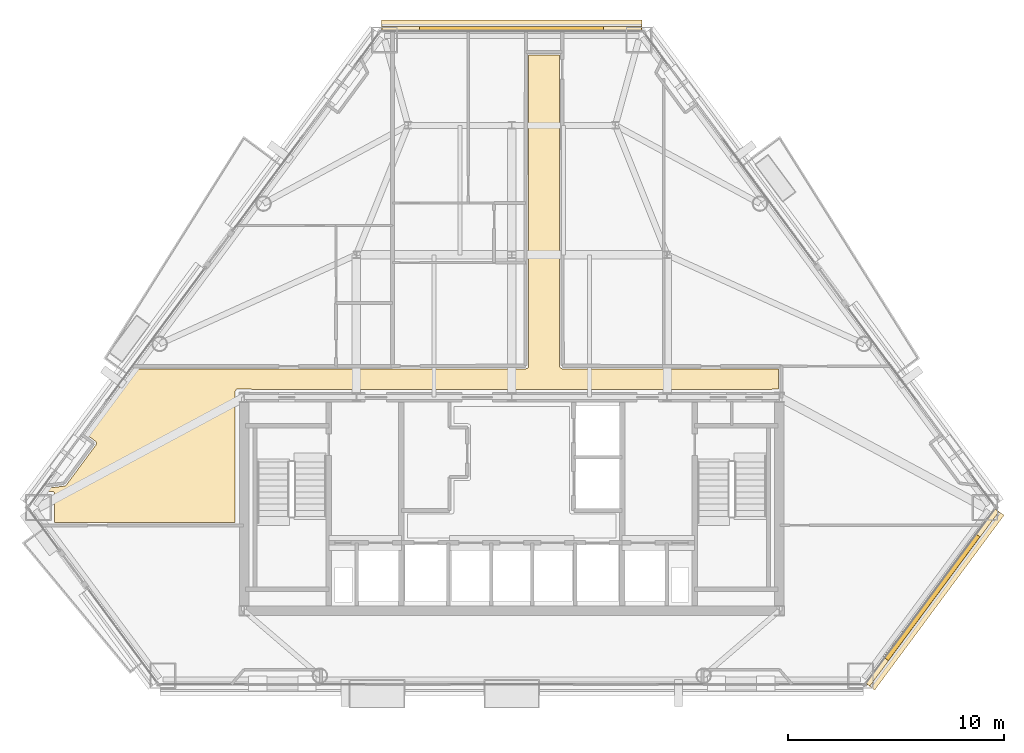
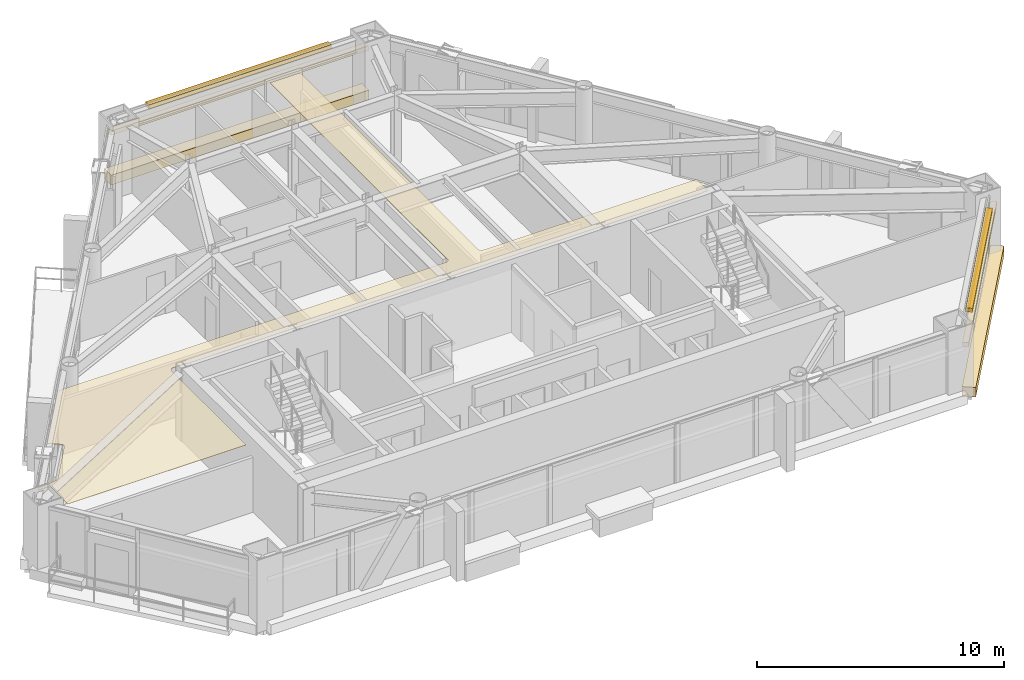
# One storey, part 12 of 13: 5 coverings, 2 shading devices.
"""IFC4 building model written with IfcOpenShell, lengths in metres."""

from ifc_helpers import new_model, si_unit, direction, frame, origin, origin_2d, place, context, subcontext, project, spatial, polyline, rectangle, outline, extrude, source, transform, mapped, material, layer, layer_set, type_object, type_shapes, element, save


model = new_model("IFC4")

# Units and contexts
model_context = context("Model", 3, precision=1e-05, world=origin(), true_north=direction((0.0, 1.0)))
body_context = subcontext(model_context, "Body", "Model", "MODEL_VIEW")
ifc_project = project(units=[si_unit("LENGTHUNIT", "METRE"), si_unit("AREAUNIT", "SQUARE_METRE"), si_unit("VOLUMEUNIT", "CUBIC_METRE"), si_unit("PLANEANGLEUNIT", "RADIAN"), si_unit("MASSUNIT", "GRAM", prefix="KILO")], contexts=[model_context])

# Site, building, storey
site_placement = place(None, origin())
site = spatial("IfcSite", under=ifc_project, at=site_placement, CompositionType="ELEMENT")
building_placement = place(site_placement, origin())
building = spatial("IfcBuilding", under=site, at=building_placement, Name="Talgorran Terracotta Tower", CompositionType="ELEMENT")
storey_placement = place(building_placement, frame((0.0, 0.0, 99.60009765625)))
storey = spatial("IfcBuildingStorey", under=building, at=storey_placement, Name="L25", CompositionType="ELEMENT", Elevation=99.60009765625)

# Coverings
ifc_material_1 = material(Name="Kiln-Fired Terracotta Ochre Ceramic", Category="masonry")
ifc_layer_1 = layer(ifc_material_1, 0.179931640625, Name="COV_BAGUETTE_TERRACOTTA_SCREEN")
ifc_layer_set_1 = layer_set([ifc_layer_1], Name="Kiln-Fired Terracotta Ochre Ceramic")
covering_type_1 = type_object("IfcCoveringType", Name="COV_BAGUETTE_TERRACOTTA_SCREEN", PredefinedType="CLADDING", material=ifc_layer_set_1)
covering_1_placement = place(storey_placement, frame((19.480712890625, -13.47119140625, 2.41015625), z_axis=(0.0, 0.0, 1.0), x_axis=(0.594906963183, 0.803794566513, 0.0)))
element("IfcCovering", 1, at=covering_1_placement, inside=storey, type_object=covering_type_1, Name="L25 Terracotta Baguette Solar Screen Assembly F2", PredefinedType="CLADDING", context=body_context, shape_type="SweptSolid", body=[
    extrude(rectangle(XDim=10.052001953125, YDim=0.260009765625, at=origin_2d()), origin(), (0.0, 0.0, 1.0), 0.219970703125),
])
covering_2_placement = place(storey_placement, frame((0.0, 12.8623046875, 2.41015625), z_axis=(0.0, 0.0, 1.0), x_axis=(-1.0, 0.0, 0.0)))
element("IfcCovering", 2, at=covering_2_placement, inside=storey, type_object=covering_type_1, Name="L25 Terracotta Baguette Solar Screen Assembly F4", PredefinedType="CLADDING", context=body_context, shape_type="SweptSolid", body=[
    extrude(rectangle(XDim=12.043212890625, YDim=0.260009765625, at=origin_2d()), origin(), (0.0, 0.0, 1.0), 0.219970703125),
])
ifc_material_2 = material(Name="Mineral Fibre Acoustic Tile")
ifc_layer_2 = layer(ifc_material_2, 0.02490234375, Name="COV_CEIL_ACOUSTIC")
ifc_layer_set_2 = layer_set([ifc_layer_2], Name="Mineral Fibre Acoustic Tile")
covering_type_2 = type_object("IfcCoveringType", Name="COV_CEIL_ACOUSTIC", PredefinedType="CEILING", material=ifc_layer_set_2)
covering_3_placement = place(storey_placement, frame((0.0, 0.0, 3.260009765625)))
element("IfcCovering", 3, at=covering_3_placement, inside=storey, type_object=covering_type_2, Name="CEIL-L25-2", PredefinedType="CEILING", context=body_context, shape_type="SweptSolid", body=[
    extrude(outline(polyline([(-21.634765625, -8.4150390625), (-21.627685546875, -8.41748046875), (-21.617431640625, -8.419921875), (-21.60693359375, -8.42138671875), (-21.598388671875, -8.42236328125), (-21.584716796875, -8.423095703125), (-21.571044921875, -8.422119140625), (-20.7353515625, -8.31787109375), (-20.725341796875, -8.316162109375), (-20.7158203125, -8.313720703125), (-20.707763671875, -8.311279296875), (-20.695068359375, -8.306640625), (-20.68310546875, -8.30078125), (-20.671875, -8.29345703125), (-20.664794921875, -8.28857421875), (-20.655517578125, -8.28076171875), (-20.646484375, -8.272216796875), (-20.638916015625, -8.2626953125), (-20.258544921875, -7.749267578125), (-19.2802734375, -6.427490234375), (-19.27490234375, -6.419189453125), (-19.27001953125, -6.410888671875), (-19.266357421875, -6.403564453125), (-19.260986328125, -6.3916015625), (-19.2568359375, -6.379150390625), (-19.25439453125, -6.3662109375), (-19.253173828125, -6.35791015625), (-19.251953125, -6.347412109375), (-19.251953125, -6.3369140625), (-19.252685546875, -6.326416015625), (-19.25439453125, -6.31591796875), (-19.256103515625, -6.307373046875), (-19.259521484375, -6.294921875), (-19.264404296875, -6.282470703125), (-19.270263671875, -6.27099609375), (-19.2744140625, -6.263916015625), (-19.281005859375, -6.25390625), (-19.288818359375, -6.24462890625), (-19.297119140625, -6.236083984375), (-19.306396484375, -6.228515625), (-19.764892578125, -5.888427734375), (-17.541748046875, -2.885009765625), (0.639892578125, -2.885009765625), (0.649658203125, -2.884521484375), (0.6591796875, -2.88330078125), (0.667236328125, -2.882080078125), (0.68017578125, -2.87939453125), (0.692626953125, -2.875), (0.70458984375, -2.869384765625), (0.7119140625, -2.865478515625), (0.7236328125, -2.8583984375), (0.734375, -2.85009765625), (0.744140625, -2.840576171875), (0.75, -2.833984375), (0.7587890625, -2.8232421875), (0.76611328125, -2.811767578125), (0.77197265625, -2.79931640625), (0.775146484375, -2.791748046875), (0.779296875, -2.780517578125), (0.781982421875, -2.76904296875), (0.78369140625, -2.75732421875), (0.784423828125, -2.74560546875), (0.784912109375, 11.6650390625), (2.215087890625, 11.6650390625), (2.215087890625, -2.739990234375), (2.21533203125, -2.749755859375), (2.216552734375, -2.75927734375), (2.218017578125, -2.76708984375), (2.220703125, -2.780029296875), (2.224853515625, -2.79248046875), (2.23046875, -2.804443359375), (2.234375, -2.811767578125), (2.241455078125, -2.823486328125), (2.25, -2.83447265625), (2.259521484375, -2.84423828125), (2.26611328125, -2.85009765625), (2.276611328125, -2.858642578125), (2.288330078125, -2.865966796875), (2.300537109375, -2.8720703125), (2.308349609375, -2.875244140625), (2.319580078125, -2.879150390625), (2.330810546875, -2.882080078125), (2.342529296875, -2.8837890625), (2.3544921875, -2.884521484375), (12.364990234375, -2.885009765625), (12.364990234375, -3.80908203125), (12.1201171875, -3.80908203125), (12.108154296875, -3.8095703125), (12.0966796875, -3.811279296875), (12.085205078125, -3.814208984375), (12.07421875, -3.818115234375), (12.0634765625, -3.8232421875), (12.05322265625, -3.8291015625), (12.0439453125, -3.836181640625), (12.03515625, -3.843994140625), (12.034423828125, -3.844970703125), (7.432861328125, -3.844970703125), (6.968017578125, -3.843017578125), (6.967529296875, -3.843017578125), (0.232666015625, -3.844970703125), (-0.23193359375, -3.843017578125), (-0.232421875, -3.843017578125), (-6.96728515625, -3.844970703125), (-7.431884765625, -3.843017578125), (-7.4326171875, -3.843017578125), (-12.034423828125, -3.844970703125), (-12.03515625, -3.843994140625), (-12.0439453125, -3.836181640625), (-12.05322265625, -3.8291015625), (-12.0634765625, -3.8232421875), (-12.07421875, -3.818115234375), (-12.085205078125, -3.814208984375), (-12.0966796875, -3.811279296875), (-12.108154296875, -3.8095703125), (-12.1201171875, -3.80908203125), (-12.679931640625, -3.80908203125), (-12.69189453125, -3.8095703125), (-12.703369140625, -3.811279296875), (-12.71484375, -3.814208984375), (-12.725830078125, -3.818115234375), (-12.736572265625, -3.8232421875), (-12.74658203125, -3.8291015625), (-12.756103515625, -3.836181640625), (-12.764892578125, -3.843994140625), (-12.772705078125, -3.852783203125), (-12.77978515625, -3.8623046875), (-12.785888671875, -3.872314453125), (-12.791015625, -3.883056640625), (-12.792724609375, -3.88818359375), (-12.794189453125, -3.889404296875), (-12.800048828125, -3.89599609375), (-12.80859375, -3.90673828125), (-12.81591796875, -3.918212890625), (-12.822021484375, -3.9306640625), (-12.8251953125, -3.938232421875), (-12.8291015625, -3.949462890625), (-12.83203125, -3.9609375), (-12.833740234375, -3.97265625), (-12.83447265625, -3.984375), (-12.8349609375, -10.009033203125), (-21.20263671875, -10.009033203125), (-21.198486328125, -10.002197265625), (-21.193359375, -9.991455078125), (-21.189453125, -9.98046875), (-21.1865234375, -9.968994140625), (-21.184814453125, -9.95751953125), (-21.184326171875, -9.945556640625), (-21.184326171875, -8.685546875), (-21.184814453125, -8.673828125), (-21.1865234375, -8.662109375), (-21.189453125, -8.65087890625), (-21.193359375, -8.6396484375), (-21.198486328125, -8.62890625), (-21.20458984375, -8.618896484375), (-21.21142578125, -8.609619140625), (-21.219482421875, -8.6005859375), (-21.228271484375, -8.5927734375), (-21.237548828125, -8.585693359375), (-21.247802734375, -8.579833984375), (-21.25830078125, -8.57470703125), (-21.26953125, -8.57080078125), (-21.281005859375, -8.56787109375), (-21.29248046875, -8.566162109375), (-21.30419921875, -8.565673828125), (-21.74609375, -8.565673828125), (-21.634765625, -8.4150390625)])), origin(), (0.0, 0.0, 1.0), 0.019775390625),
])
ifc_material_3 = material(Name="Kiln-Fired Terracotta Cladding", Category="masonry")
ifc_layer_3 = layer(ifc_material_3, 0.090087890625, Name="COV_PORTAL_TERRA")
ifc_layer_set_3 = layer_set([ifc_layer_3], Name="Kiln-Fired Terracotta Cladding")
covering_type_3 = type_object("IfcCoveringType", Name="COV_PORTAL_TERRA", PredefinedType="CLADDING", material=ifc_layer_set_3)
covering_4_placement = place(storey_placement, frame((19.59326171875, -13.554443359375, -0.0400390625), z_axis=(0.0, 0.0, 1.0), x_axis=(0.594906963183, 0.803794566513, 0.0)))
element("IfcCovering", 4, at=covering_4_placement, inside=storey, type_object=covering_type_3, Name="L25 Striped Postmodern Portal Cladding Band F2", PredefinedType="CLADDING", context=body_context, shape_type="SweptSolid", body=[
    extrude(rectangle(XDim=10.072021484375, YDim=0.56005859375, at=origin_2d()), origin(), (0.0, 0.0, 1.0), 0.47998046875),
])
covering_5_placement = place(storey_placement, frame((0.0, 13.002197265625, -0.0400390625), z_axis=(0.0, 0.0, 1.0), x_axis=(-1.0, 0.0, 0.0)))
element("IfcCovering", 5, at=covering_5_placement, inside=storey, type_object=covering_type_3, Name="L25 Striped Postmodern Portal Cladding Band F4", PredefinedType="CLADDING", context=body_context, shape_type="SweptSolid", body=[
    extrude(rectangle(XDim=12.063232421875, YDim=0.56005859375, at=origin_2d()), origin(), (0.0, 0.0, 1.0), 0.47998046875),
])

# Shading devices
ifc_material_4 = material(Name="Kiln-Fired Terracotta", Category="masonry")
ifc_layer_4 = layer(ifc_material_4, 0.280029296875, Name="SHD_SUNSHADE_TERRA")
ifc_layer_set_4 = layer_set([ifc_layer_4], Name="Kiln-Fired Terracotta")
shading_device_type = type_object("IfcShadingDeviceType", Name="SHD_SUNSHADE_TERRA", PredefinedType="AWNING", material=ifc_layer_set_4)
shared_shape_1 = source(origin(), body_context, "Body", "SweptSolid", [
    extrude(rectangle(XDim=7.134521484375, YDim=0.280029296875, at=origin_2d()), origin(), (0.0, 0.0, 1.0), 0.199951171875),
])
shading_device_1_placement = place(storey_placement, frame((19.464599609375, -13.459228515625, 3.10986328125), z_axis=(0.0, 0.0, 1.0), x_axis=(0.594906963183, 0.803794566513, 0.0)))
element("IfcShadingDevice", 6, at=shading_device_1_placement, inside=storey, type_object=shading_device_type, Name="SHD-BROW-L25-F2", PredefinedType="AWNING", context=body_context, shape_type="MappedRepresentation", body=[
    mapped(shared_shape_1, transform((0.0, 0.0, 0.0), scale=1.0)),
])
shared_shape_2 = source(origin(), body_context, "Body", "SweptSolid", [
    extrude(rectangle(XDim=8.5283203125, YDim=0.280029296875, at=origin_2d()), origin(), (0.0, 0.0, 1.0), 0.199951171875),
])
type_shapes(shading_device_type, [shared_shape_1, shared_shape_2])
shading_device_2_placement = place(storey_placement, frame((0.0, 12.84228515625, 3.10986328125), z_axis=(0.0, 0.0, 1.0), x_axis=(-1.0, 0.0, 0.0)))
element("IfcShadingDevice", 7, at=shading_device_2_placement, inside=storey, type_object=shading_device_type, Name="SHD-BROW-L25-F4", PredefinedType="AWNING", context=body_context, shape_type="MappedRepresentation", body=[
    mapped(shared_shape_2, transform((0.0, 0.0, 0.0), scale=1.0)),
])

save(model, "model.ifc")
